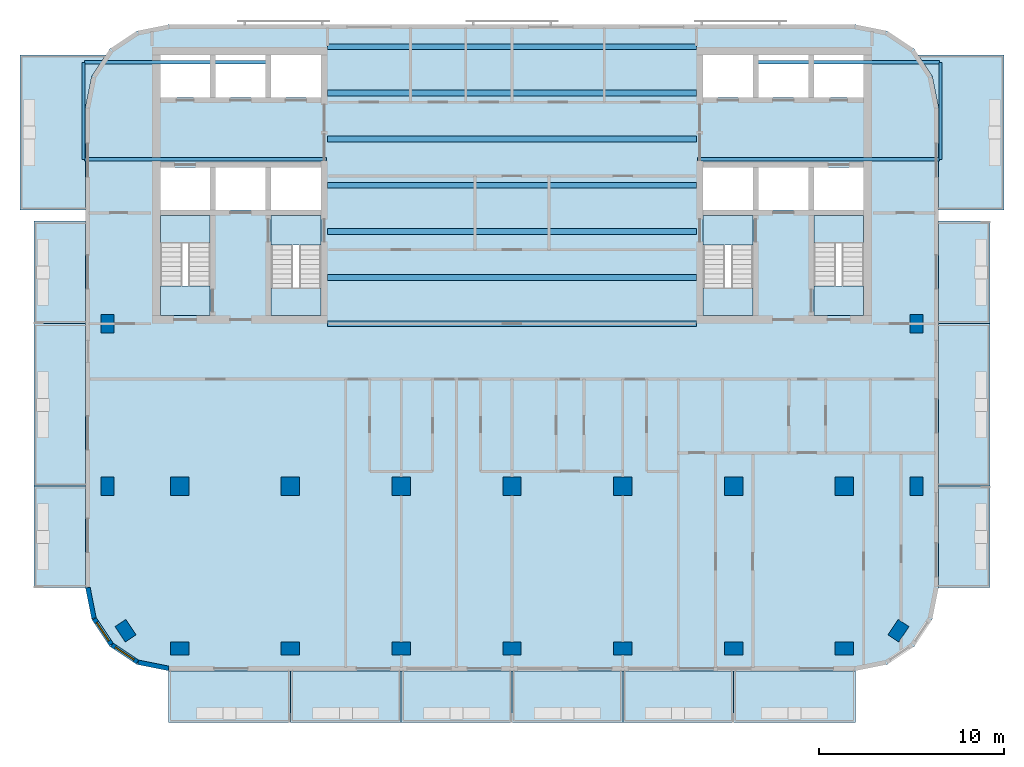
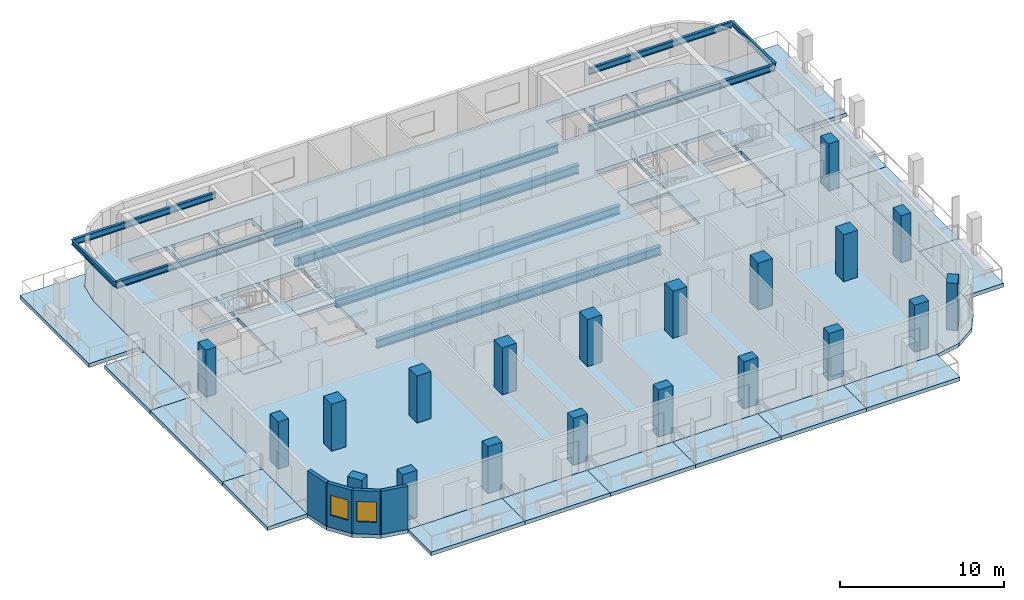
# One storey, part 1 of 11: 23 slabs, 20 columns, 13 beams, 4 walls, 2 windows, 2 openings, 4 elements without a shape of their own.
"""IFC4 building model written with IfcOpenShell, lengths in metres."""

from ifc_helpers import new_model, si_unit, direction, frame, frame_2d, origin, origin_2d, place, context, subcontext, project, spatial, polyline, rectangle, i_section, outline, extrude, material, layer, layer_set, material_profile, profile_set, type_object, element, fill, aggregate, save


model = new_model("IFC4")

# Units and contexts
model_context = context("Model", 3, precision=1e-05, world=origin(), true_north=direction((0.0, 1.0)))
body_context = subcontext(model_context, "Body", "Model", "MODEL_VIEW")
ifc_project = project(units=[si_unit("LENGTHUNIT", "METRE"), si_unit("AREAUNIT", "SQUARE_METRE"), si_unit("VOLUMEUNIT", "CUBIC_METRE"), si_unit("PLANEANGLEUNIT", "RADIAN"), si_unit("MASSUNIT", "GRAM", prefix="KILO")], contexts=[model_context])

# Site, building, storey
site_placement = place(None, origin())
site = spatial("IfcSite", under=ifc_project, at=site_placement, CompositionType="ELEMENT")
building_placement = place(site_placement, origin())
building = spatial("IfcBuilding", under=site, at=building_placement, Name="Torana Hotel and Residences", CompositionType="ELEMENT")
storey_placement = place(building_placement, frame((0.0, 0.0, 266.60009765625)))
storey = spatial("IfcBuildingStorey", under=building, at=storey_placement, Name="L70", CompositionType="ELEMENT", Elevation=266.60009765625)

# Columns
ifc_material_1 = material(Name="Concrete C50/60", Category="concrete")
ifc_material_profile_1 = material_profile(ifc_material_1, rectangle(XDim=1.0, YDim=1.0, at=origin_2d()), Name="RC 1000x1000")
ifc_profile_set_1 = profile_set([ifc_material_profile_1], Name="Concrete C50/60")
column_type_1 = type_object("IfcColumnType", Name="COLUMN RC 1000x1000 C50/60", PredefinedType="COLUMN", material=ifc_profile_set_1)
for number, where, z_axis, x_axis, name in (
    (1, (-18.0, -23.800048828125, 0.0), (0.0, 0.0, 1.0), (1.0, 0.0, 0.0), "Column L70"),
    (2, (-12.0, -23.800048828125, 0.0), (0.0, 0.0, 1.0), (1.0, 0.0, 0.0), "Column L70"),
    (3, (-6.0, -23.800048828125, 0.0), (0.0, 0.0, 1.0), (1.0, 0.0, 0.0), "Column L70"),
    (4, (0.0, -23.800048828125, 0.0), (0.0, 0.0, 1.0), (1.0, 0.0, 0.0), "Column L70"),
    (5, (6.0, -23.800048828125, 0.0), (0.0, 0.0, 1.0), (1.0, 0.0, 0.0), "Column L70"),
    (6, (12.0, -23.800048828125, 0.0), (0.0, 0.0, 1.0), (1.0, 0.0, 0.0), "Column L70"),
    (7, (18.0, -23.800048828125, 0.0), (0.0, 0.0, 1.0), (1.0, 0.0, 0.0), "Column L70"),
):
    element("IfcColumn", number, at=place(storey_placement, frame(where, z_axis=z_axis, x_axis=x_axis)), inside=storey, type_object=column_type_1, Name=name, PredefinedType="COLUMN", context=body_context, shape_type="SweptSolid", body=[
        extrude(rectangle(XDim=1.0, YDim=1.0, at=origin_2d()), origin(), (0.0, 0.0, 1.0), 3.5),
    ])
ifc_material_2 = material(Name="Concrete C50/60", Category="concrete")
ifc_material_profile_2 = material_profile(ifc_material_2, rectangle(XDim=1.0, YDim=0.699951171875, at=origin_2d()), Name="RC 1000x700")
ifc_profile_set_2 = profile_set([ifc_material_profile_2], Name="Concrete C50/60")
column_type_2 = type_object("IfcColumnType", Name="COLUMN RC 1000x700 C50/60", PredefinedType="COLUMN", material=ifc_profile_set_2)
for number, where, z_axis, x_axis, name in (
    (8, (-21.89990234375, -23.800048828125, 0.0), (0.0, 0.0, 1.0), (0.0, 1.0, 0.0), "Column L70"),
    (9, (-21.89990234375, -15.0, 0.0), (0.0, 0.0, 1.0), (0.0, 1.0, 0.0), "Column L70"),
    (10, (-20.93310546875, -31.633056640625, 0.0), (0.0, 0.0, 1.0), (-0.555584744817, 0.831459915646, 0.0), "Column L70"),
    (11, (-18.0, -32.60009765625, 0.0), (0.0, 0.0, 1.0), (1.0, 0.0, 0.0), "Column L70"),
    (12, (-12.0, -32.60009765625, 0.0), (0.0, 0.0, 1.0), (1.0, 0.0, 0.0), "Column L70"),
    (13, (-6.0, -32.60009765625, 0.0), (0.0, 0.0, 1.0), (1.0, 0.0, 0.0), "Column L70"),
    (14, (0.0, -32.60009765625, 0.0), (0.0, 0.0, 1.0), (1.0, 0.0, 0.0), "Column L70"),
    (15, (6.0, -32.60009765625, 0.0), (0.0, 0.0, 1.0), (1.0, 0.0, 0.0), "Column L70"),
    (16, (12.0, -32.60009765625, 0.0), (0.0, 0.0, 1.0), (1.0, 0.0, 0.0), "Column L70"),
    (17, (18.0, -32.60009765625, 0.0), (0.0, 0.0, 1.0), (1.0, 0.0, 0.0), "Column L70"),
    (18, (20.93310546875, -31.633056640625, 0.0), (0.0, 0.0, 1.0), (0.555584744817, 0.831459915646, 0.0), "Column L70"),
    (19, (21.89990234375, -23.800048828125, 0.0), (0.0, 0.0, 1.0), (0.0, 1.0, 0.0), "Column L70"),
    (20, (21.89990234375, -15.0, 0.0), (0.0, 0.0, 1.0), (0.0, 1.0, 0.0), "Column L70"),
):
    element("IfcColumn", number, at=place(storey_placement, frame(where, z_axis=z_axis, x_axis=x_axis)), inside=storey, type_object=column_type_2, Name=name, PredefinedType="COLUMN", context=body_context, shape_type="SweptSolid", body=[
        extrude(rectangle(XDim=1.0, YDim=0.699951171875, at=origin_2d()), origin(), (0.0, 0.0, 1.0), 3.5),
    ])

# Beams
ifc_material_3 = material(Name="Steel S355", Category="steel")
ifc_material_profile_3 = material_profile(ifc_material_3, i_section(OverallWidth=0.19287109375, OverallDepth=0.46728515625, WebThickness=0.011474609375, FlangeThickness=0.01953125, FilletRadius=0.01025390625, at=origin_2d()), Name="457x191x98 UB")
ifc_profile_set_3 = profile_set([ifc_material_profile_3], Name="Steel S355")
beam_type_1 = type_object("IfcBeamType", Name="BALCONY CANTILEVER BEAM 457x191x98 UB", PredefinedType="BEAM", material=ifc_profile_set_3)
beam_1_placement = place(storey_placement, frame((-23.1484375, -6.10009765625, 2.986328125), z_axis=(1.0, 0.0, 0.0), x_axis=(0.0, 1.0, 0.0)))
element("IfcBeam", 21, at=beam_1_placement, inside=storey, type_object=beam_type_1, Name="Balcony cantilever beam", PredefinedType="BEAM", context=body_context, shape_type="SweptSolid", body=[
    extrude(i_section(OverallWidth=0.19287109375, OverallDepth=0.46728515625, WebThickness=0.011474609375, FlangeThickness=0.01953125, FilletRadius=0.01025390625, at=origin_2d()), origin(), (0.0, 0.0, 1.0), 13.098388671875),
])
beam_2_placement = place(storey_placement, frame((-23.1484375, -0.85009765625, 2.986328125), z_axis=(1.0, 0.0, 0.0), x_axis=(0.0, 1.0, 0.0)))
element("IfcBeam", 22, at=beam_2_placement, inside=storey, type_object=beam_type_1, Name="Balcony cantilever beam", PredefinedType="BEAM", context=body_context, shape_type="SweptSolid", body=[
    extrude(i_section(OverallWidth=0.19287109375, OverallDepth=0.46728515625, WebThickness=0.011474609375, FlangeThickness=0.01953125, FilletRadius=0.01025390625, at=origin_2d()), origin(), (0.0, 0.0, 1.0), 10.04833984375),
])
beam_3_placement = place(storey_placement, frame((23.1484375, -6.10009765625, 2.986328125), z_axis=(-1.0, 0.0, 0.0), x_axis=(0.0, -1.0, 0.0)))
element("IfcBeam", 23, at=beam_3_placement, inside=storey, type_object=beam_type_1, Name="Balcony cantilever beam", PredefinedType="BEAM", context=body_context, shape_type="SweptSolid", body=[
    extrude(i_section(OverallWidth=0.19287109375, OverallDepth=0.46728515625, WebThickness=0.011474609375, FlangeThickness=0.01953125, FilletRadius=0.01025390625, at=origin_2d()), origin(), (0.0, 0.0, 1.0), 13.098388671875),
])
beam_4_placement = place(storey_placement, frame((23.1484375, -0.85009765625, 2.986328125), z_axis=(-1.0, 0.0, 0.0), x_axis=(0.0, -1.0, 0.0)))
element("IfcBeam", 24, at=beam_4_placement, inside=storey, type_object=beam_type_1, Name="Balcony cantilever beam", PredefinedType="BEAM", context=body_context, shape_type="SweptSolid", body=[
    extrude(i_section(OverallWidth=0.19287109375, OverallDepth=0.46728515625, WebThickness=0.011474609375, FlangeThickness=0.01953125, FilletRadius=0.01025390625, at=origin_2d()), origin(), (0.0, 0.0, 1.0), 10.04833984375),
])
ifc_material_4 = material(Name="Steel S355", Category="steel")
ifc_material_profile_4 = material_profile(ifc_material_4, i_section(OverallWidth=0.173095703125, OverallDepth=0.36328125, WebThickness=0.009033203125, FlangeThickness=0.015625, FilletRadius=0.01025390625, at=origin_2d()), Name="356x171x67 UB")
ifc_profile_set_4 = profile_set([ifc_material_profile_4], Name="Steel S355")
beam_type_2 = type_object("IfcBeamType", Name="BALCONY TIP BEAM 356x171x67 UB", PredefinedType="BEAM", material=ifc_profile_set_4)
for number, where, z_axis, x_axis, name in (
    (25, (-23.205078125, -6.10009765625, 3.0380859375), (0.0, 1.0, 0.0), (-1.0, 0.0, 0.0), "Balcony tip beam"),
    (26, (23.205078125, -6.10009765625, 3.0380859375), (0.0, 1.0, 0.0), (-1.0, 0.0, 0.0), "Balcony tip beam"),
):
    element("IfcBeam", number, at=place(storey_placement, frame(where, z_axis=z_axis, x_axis=x_axis)), inside=storey, type_object=beam_type_2, Name=name, PredefinedType="BEAM", context=body_context, shape_type="SweptSolid", body=[
        extrude(i_section(OverallWidth=0.173095703125, OverallDepth=0.36328125, WebThickness=0.009033203125, FlangeThickness=0.015625, FilletRadius=0.01025390625, at=origin_2d()), origin(), (0.0, 0.0, 1.0), 5.25),
    ])
ifc_material_5 = material(Name="Steel S355", Category="steel")
ifc_material_profile_5 = material_profile(ifc_material_5, i_section(OverallWidth=0.311279296875, OverallDepth=0.6357421875, WebThickness=0.018310546875, FlangeThickness=0.031494140625, FilletRadius=0.0166015625, at=origin_2d()), Name="610x305x238 UB")
ifc_profile_set_5 = profile_set([ifc_material_profile_5], Name="Steel S355")
beam_type_3 = type_object("IfcBeamType", Name="STEEL GIRDER 610x305x238 UB", PredefinedType="BEAM", material=ifc_profile_set_5)
for number, where, z_axis, x_axis, name in (
    (27, (-10.0, -15.0, -0.597900390625), (1.0, 0.0, 0.0), (0.0, 1.0, 0.0), "Floor girder"),
    (28, (-10.0, -12.5, -0.597900390625), (1.0, 0.0, 0.0), (0.0, 1.0, 0.0), "Floor girder"),
    (29, (-10.0, -10.0, -0.597900390625), (1.0, 0.0, 0.0), (0.0, 1.0, 0.0), "Floor girder"),
    (30, (-10.0, -7.5, -0.597900390625), (1.0, 0.0, 0.0), (0.0, 1.0, 0.0), "Floor girder"),
    (31, (-10.0, -5.0, -0.597900390625), (1.0, 0.0, 0.0), (0.0, 1.0, 0.0), "Floor girder"),
    (32, (-10.0, -2.5, -0.597900390625), (1.0, 0.0, 0.0), (0.0, 1.0, 0.0), "Floor girder"),
    (33, (-10.0, 0.0, -0.597900390625), (1.0, 0.0, 0.0), (0.0, 1.0, 0.0), "Floor girder"),
):
    element("IfcBeam", number, at=place(storey_placement, frame(where, z_axis=z_axis, x_axis=x_axis)), inside=storey, type_object=beam_type_3, Name=name, PredefinedType="BEAM", context=body_context, shape_type="SweptSolid", body=[
        extrude(i_section(OverallWidth=0.311279296875, OverallDepth=0.6357421875, WebThickness=0.018310546875, FlangeThickness=0.031494140625, FilletRadius=0.0166015625, at=origin_2d()), origin(), (0.0, 0.0, 1.0), 20.0),
    ])

# Slabs
ifc_material_6 = material(Name="Concrete C40/50", Category="concrete")
ifc_layer_1 = layer(ifc_material_6, 0.280029296875)
ifc_layer_set_1 = layer_set([ifc_layer_1], Name="BAL1 BALCONY SLAB 280")
slab_type_1 = type_object("IfcSlabType", Name="BAL1 BALCONY SLAB 280", PredefinedType="USERDEFINED", material=ifc_layer_set_1)
slab_1_placement = place(storey_placement, frame((0.0, 0.0, -0.280029296875)))
element("IfcSlab", 34, at=slab_1_placement, inside=storey, type_object=slab_type_1, Name="Balcony 01", ObjectType="BALCONY", PredefinedType="USERDEFINED", context=body_context, shape_type="SweptSolid", body=[
    extrude(outline(polyline([(-18.60009765625, -36.60009765625), (-12.0, -36.60009765625), (-12.0, -33.800048828125), (-18.60009765625, -33.800048828125), (-18.60009765625, -36.60009765625)])), origin(), (0.0, 0.0, 1.0), 0.280029296875),
])
slab_2_placement = place(storey_placement, frame((0.0, 0.0, -0.280029296875)))
element("IfcSlab", 35, at=slab_2_placement, inside=storey, type_object=slab_type_1, Name="Balcony 02", ObjectType="BALCONY", PredefinedType="USERDEFINED", context=body_context, shape_type="SweptSolid", body=[
    extrude(outline(polyline([(-12.0, -36.60009765625), (-6.0, -36.60009765625), (-6.0, -33.800048828125), (-12.0, -33.800048828125), (-12.0, -36.60009765625)])), origin(), (0.0, 0.0, 1.0), 0.280029296875),
])
slab_3_placement = place(storey_placement, frame((0.0, 0.0, -0.280029296875)))
element("IfcSlab", 36, at=slab_3_placement, inside=storey, type_object=slab_type_1, Name="Balcony 03", ObjectType="BALCONY", PredefinedType="USERDEFINED", context=body_context, shape_type="SweptSolid", body=[
    extrude(outline(polyline([(-6.0, -36.60009765625), (0.0, -36.60009765625), (0.0, -33.800048828125), (-6.0, -33.800048828125), (-6.0, -36.60009765625)])), origin(), (0.0, 0.0, 1.0), 0.280029296875),
])
slab_4_placement = place(storey_placement, frame((0.0, 0.0, -0.280029296875)))
element("IfcSlab", 37, at=slab_4_placement, inside=storey, type_object=slab_type_1, Name="Balcony 04", ObjectType="BALCONY", PredefinedType="USERDEFINED", context=body_context, shape_type="SweptSolid", body=[
    extrude(outline(polyline([(0.0, -36.60009765625), (6.0, -36.60009765625), (6.0, -33.800048828125), (0.0, -33.800048828125), (0.0, -36.60009765625)])), origin(), (0.0, 0.0, 1.0), 0.280029296875),
])
slab_5_placement = place(storey_placement, frame((0.0, 0.0, -0.280029296875)))
element("IfcSlab", 38, at=slab_5_placement, inside=storey, type_object=slab_type_1, Name="Balcony 05", ObjectType="BALCONY", PredefinedType="USERDEFINED", context=body_context, shape_type="SweptSolid", body=[
    extrude(outline(polyline([(6.0, -36.60009765625), (12.0, -36.60009765625), (12.0, -33.800048828125), (6.0, -33.800048828125), (6.0, -36.60009765625)])), origin(), (0.0, 0.0, 1.0), 0.280029296875),
])
slab_6_placement = place(storey_placement, frame((0.0, 0.0, -0.280029296875)))
element("IfcSlab", 39, at=slab_6_placement, inside=storey, type_object=slab_type_1, Name="Balcony 06", ObjectType="BALCONY", PredefinedType="USERDEFINED", context=body_context, shape_type="SweptSolid", body=[
    extrude(outline(polyline([(12.0, -36.60009765625), (18.60009765625, -36.60009765625), (18.60009765625, -33.800048828125), (12.0, -33.800048828125), (12.0, -36.60009765625)])), origin(), (0.0, 0.0, 1.0), 0.280029296875),
])
slab_7_placement = place(storey_placement, frame((0.0, 0.0, -0.280029296875)))
element("IfcSlab", 40, at=slab_7_placement, inside=storey, type_object=slab_type_1, Name="Balcony 07", ObjectType="BALCONY", PredefinedType="USERDEFINED", context=body_context, shape_type="SweptSolid", body=[
    extrude(outline(polyline([(-25.89990234375, -29.300048828125), (-23.10009765625, -29.300048828125), (-23.10009765625, -23.800048828125), (-25.89990234375, -23.800048828125), (-25.89990234375, -29.300048828125)])), origin(), (0.0, 0.0, 1.0), 0.280029296875),
])
slab_8_placement = place(storey_placement, frame((0.0, 0.0, -0.280029296875)))
element("IfcSlab", 41, at=slab_8_placement, inside=storey, type_object=slab_type_1, Name="Balcony 08", ObjectType="BALCONY", PredefinedType="USERDEFINED", context=body_context, shape_type="SweptSolid", body=[
    extrude(outline(polyline([(-25.89990234375, -23.800048828125), (-23.10009765625, -23.800048828125), (-23.10009765625, -15.0), (-25.89990234375, -15.0), (-25.89990234375, -23.800048828125)])), origin(), (0.0, 0.0, 1.0), 0.280029296875),
])
slab_9_placement = place(storey_placement, frame((0.0, 0.0, -0.280029296875)))
element("IfcSlab", 42, at=slab_9_placement, inside=storey, type_object=slab_type_1, Name="Balcony 09", ObjectType="BALCONY", PredefinedType="USERDEFINED", context=body_context, shape_type="SweptSolid", body=[
    extrude(outline(polyline([(-25.89990234375, -15.0), (-23.10009765625, -15.0), (-23.10009765625, -9.449951171875), (-25.89990234375, -9.449951171875), (-25.89990234375, -15.0)])), origin(), (0.0, 0.0, 1.0), 0.280029296875),
])
slab_10_placement = place(storey_placement, frame((0.0, 0.0, -0.280029296875)))
element("IfcSlab", 43, at=slab_10_placement, inside=storey, type_object=slab_type_1, Name="Balcony 10", ObjectType="BALCONY", PredefinedType="USERDEFINED", context=body_context, shape_type="SweptSolid", body=[
    extrude(outline(polyline([(-26.64990234375, -8.85009765625), (-23.10009765625, -8.85009765625), (-23.10009765625, -3.300048828125), (-22.757568359375, -1.577880859375), (-22.00390625, -0.449951171875), (-26.64990234375, -0.449951171875), (-26.64990234375, -8.85009765625)])), origin(), (0.0, 0.0, 1.0), 0.280029296875),
])
slab_11_placement = place(storey_placement, frame((0.0, 0.0, -0.280029296875)))
element("IfcSlab", 44, at=slab_11_placement, inside=storey, type_object=slab_type_1, Name="Balcony 11", ObjectType="BALCONY", PredefinedType="USERDEFINED", context=body_context, shape_type="SweptSolid", body=[
    extrude(outline(polyline([(23.10009765625, -29.300048828125), (25.89990234375, -29.300048828125), (25.89990234375, -23.800048828125), (23.10009765625, -23.800048828125), (23.10009765625, -29.300048828125)])), origin(), (0.0, 0.0, 1.0), 0.280029296875),
])
slab_12_placement = place(storey_placement, frame((0.0, 0.0, -0.280029296875)))
element("IfcSlab", 45, at=slab_12_placement, inside=storey, type_object=slab_type_1, Name="Balcony 12", ObjectType="BALCONY", PredefinedType="USERDEFINED", context=body_context, shape_type="SweptSolid", body=[
    extrude(outline(polyline([(23.10009765625, -23.800048828125), (25.89990234375, -23.800048828125), (25.89990234375, -15.0), (23.10009765625, -15.0), (23.10009765625, -23.800048828125)])), origin(), (0.0, 0.0, 1.0), 0.280029296875),
])
slab_13_placement = place(storey_placement, frame((0.0, 0.0, -0.280029296875)))
element("IfcSlab", 46, at=slab_13_placement, inside=storey, type_object=slab_type_1, Name="Balcony 13", ObjectType="BALCONY", PredefinedType="USERDEFINED", context=body_context, shape_type="SweptSolid", body=[
    extrude(outline(polyline([(23.10009765625, -15.0), (25.89990234375, -15.0), (25.89990234375, -9.449951171875), (23.10009765625, -9.449951171875), (23.10009765625, -15.0)])), origin(), (0.0, 0.0, 1.0), 0.280029296875),
])
slab_14_placement = place(storey_placement, frame((0.0, 0.0, -0.280029296875)))
element("IfcSlab", 47, at=slab_14_placement, inside=storey, type_object=slab_type_1, Name="Balcony 14", ObjectType="BALCONY", PredefinedType="USERDEFINED", context=body_context, shape_type="SweptSolid", body=[
    extrude(outline(polyline([(23.10009765625, -8.85009765625), (26.64990234375, -8.85009765625), (26.64990234375, -0.449951171875), (22.00390625, -0.449951171875), (22.757568359375, -1.577880859375), (23.10009765625, -3.300048828125), (23.10009765625, -8.85009765625)])), origin(), (0.0, 0.0, 1.0), 0.280029296875),
])
ifc_material_7 = material(Name="Concrete C40/50", Category="concrete")
ifc_layer_2 = layer(ifc_material_7, 0.280029296875)
ifc_layer_set_2 = layer_set([ifc_layer_2], Name="FLOOR SLAB PT 280")
slab_type_2 = type_object("IfcSlabType", Name="FLOOR SLAB PT 280", PredefinedType="FLOOR", material=ifc_layer_set_2)
slab_15_placement = place(storey_placement, frame((0.0, 0.0, -0.280029296875)))
element("IfcSlab", 48, at=slab_15_placement, inside=storey, type_object=slab_type_2, Name="Floor slab", PredefinedType="FLOOR", context=body_context, shape_type="SweptSolid", body=[
    extrude(outline(polyline([(23.10009765625, -3.300048828125), (22.757568359375, -1.577880859375), (21.781982421875, -0.117919921875), (20.322021484375, 0.857421875), (18.60009765625, 1.199951171875), (-18.60009765625, 1.199951171875), (-20.322021484375, 0.857421875), (-21.781982421875, -0.117919921875), (-22.757568359375, -1.577880859375), (-23.10009765625, -3.300048828125), (-23.10009765625, -29.300048828125), (-22.757568359375, -31.022216796875), (-21.781982421875, -32.48193359375), (-20.322021484375, -33.45751953125), (-18.60009765625, -33.800048828125), (18.60009765625, -33.800048828125), (20.322021484375, -33.45751953125), (21.781982421875, -32.48193359375), (22.757568359375, -31.022216796875), (23.10009765625, -29.300048828125), (23.10009765625, -3.300048828125)]), holes=[polyline([(-13.050048828125, -14.550048828125), (-10.35009765625, -14.550048828125), (-10.35009765625, -9.14990234375), (-13.050048828125, -9.14990234375), (-13.050048828125, -14.550048828125)]), polyline([(-19.050048828125, -14.550048828125), (-16.35009765625, -14.550048828125), (-16.35009765625, -9.14990234375), (-19.050048828125, -9.14990234375), (-19.050048828125, -14.550048828125)]), polyline([(-19.050048828125, -2.75), (-16.35009765625, -2.75), (-16.35009765625, -0.449951171875), (-19.050048828125, -0.449951171875), (-19.050048828125, -2.75)]), polyline([(-13.050048828125, -2.75), (-10.35009765625, -2.75), (-10.35009765625, -0.449951171875), (-13.050048828125, -0.449951171875), (-13.050048828125, -2.75)]), polyline([(-16.050048828125, -2.75), (-13.35009765625, -2.75), (-13.35009765625, -0.449951171875), (-16.050048828125, -0.449951171875), (-16.050048828125, -2.75)]), polyline([(-13.050048828125, -8.85009765625), (-10.35009765625, -8.85009765625), (-10.35009765625, -6.550048828125), (-13.050048828125, -6.550048828125), (-13.050048828125, -8.85009765625)]), polyline([(-16.050048828125, -8.85009765625), (-13.35009765625, -8.85009765625), (-13.35009765625, -6.550048828125), (-16.050048828125, -6.550048828125), (-16.050048828125, -8.85009765625)]), polyline([(-19.050048828125, -8.85009765625), (-16.35009765625, -8.85009765625), (-16.35009765625, -6.550048828125), (-19.050048828125, -6.550048828125), (-19.050048828125, -8.85009765625)]), polyline([(10.35009765625, -14.550048828125), (13.050048828125, -14.550048828125), (13.050048828125, -9.14990234375), (10.35009765625, -9.14990234375), (10.35009765625, -14.550048828125)]), polyline([(16.35009765625, -14.550048828125), (19.050048828125, -14.550048828125), (19.050048828125, -9.14990234375), (16.35009765625, -9.14990234375), (16.35009765625, -14.550048828125)]), polyline([(16.35009765625, -2.75), (19.050048828125, -2.75), (19.050048828125, -0.449951171875), (16.35009765625, -0.449951171875), (16.35009765625, -2.75)]), polyline([(10.35009765625, -2.75), (13.050048828125, -2.75), (13.050048828125, -0.449951171875), (10.35009765625, -0.449951171875), (10.35009765625, -2.75)]), polyline([(13.35009765625, -2.75), (16.050048828125, -2.75), (16.050048828125, -0.449951171875), (13.35009765625, -0.449951171875), (13.35009765625, -2.75)]), polyline([(10.35009765625, -8.85009765625), (13.050048828125, -8.85009765625), (13.050048828125, -6.550048828125), (10.35009765625, -6.550048828125), (10.35009765625, -8.85009765625)]), polyline([(13.35009765625, -8.85009765625), (16.050048828125, -8.85009765625), (16.050048828125, -6.550048828125), (13.35009765625, -6.550048828125), (13.35009765625, -8.85009765625)]), polyline([(16.35009765625, -8.85009765625), (19.050048828125, -8.85009765625), (19.050048828125, -6.550048828125), (16.35009765625, -6.550048828125), (16.35009765625, -8.85009765625)])]), origin(), (0.0, 0.0, 1.0), 0.280029296875),
])

# Stair, slabs
ifc_material_8 = material(Name="Concrete C40/50 precast", Category="concrete")
stair_type_1 = type_object("IfcStairType", Name="STAIR ST1 HALF TURN 1200", PredefinedType="HALF_TURN_STAIR", material=ifc_material_8)
stair_1_placement = place(storey_placement, origin())
stair_1 = element("IfcStair", 49, at=stair_1_placement, inside=storey, type_object=stair_type_1, Name="Stair ST1 L70", PredefinedType="HALF_TURN_STAIR")
ifc_material_9 = material(Name="Concrete C40/50 precast", Category="concrete")
ifc_layer_3 = layer(ifc_material_9, 0.199951171875)
ifc_layer_set_3 = layer_set([ifc_layer_3], Name="STAIR LANDING 200")
slab_type_3 = type_object("IfcSlabType", Name="STAIR LANDING 200", PredefinedType="LANDING", material=ifc_layer_set_3)
slab_16_placement = place(storey_placement, frame((0.0, 0.0, 1.5498046875)))
slab_16 = element("IfcSlab", 50, at=slab_16_placement, type_object=slab_type_3, Name="ST1 landing 1", PredefinedType="LANDING", context=body_context, shape_type="SweptSolid", body=[
    extrude(outline(polyline([(-13.050048828125, -14.550048828125), (-10.35009765625, -14.550048828125), (-10.35009765625, -13.090087890625), (-13.050048828125, -13.090087890625), (-13.050048828125, -14.550048828125)])), origin(), (0.0, 0.0, 1.0), 0.2001953125),
])
slab_17_placement = place(storey_placement, frame((0.0, 0.0, -0.2001953125)))
slab_17 = element("IfcSlab", 51, at=slab_17_placement, type_object=slab_type_3, Name="ST1 landing 2", PredefinedType="LANDING", context=body_context, shape_type="SweptSolid", body=[
    extrude(outline(polyline([(-13.050048828125, -10.75), (-10.35009765625, -10.75), (-10.35009765625, -9.14990234375), (-13.050048828125, -9.14990234375), (-13.050048828125, -10.75)])), origin(), (0.0, 0.0, 1.0), 0.2001953125),
])
aggregate(stair_1, [slab_16, slab_17])

ifc_material_10 = material(Name="Concrete C40/50 precast", Category="concrete")
stair_type_2 = type_object("IfcStairType", Name="STAIR ST2 HALF TURN 1200", PredefinedType="HALF_TURN_STAIR", material=ifc_material_10)
stair_2_placement = place(storey_placement, origin())
stair_2 = element("IfcStair", 52, at=stair_2_placement, inside=storey, type_object=stair_type_2, Name="Stair ST2 L70", PredefinedType="HALF_TURN_STAIR")
slab_18_placement = place(storey_placement, frame((0.0, 0.0, 1.5498046875)))
slab_18 = element("IfcSlab", 53, at=slab_18_placement, type_object=slab_type_3, Name="ST2 landing 1", PredefinedType="LANDING", context=body_context, shape_type="SweptSolid", body=[
    extrude(outline(polyline([(-19.050048828125, -10.610107421875), (-16.35009765625, -10.610107421875), (-16.35009765625, -9.14990234375), (-19.050048828125, -9.14990234375), (-19.050048828125, -10.610107421875)])), origin(), (0.0, 0.0, 1.0), 0.2001953125),
])
slab_19_placement = place(storey_placement, frame((0.0, 0.0, -0.2001953125)))
slab_19 = element("IfcSlab", 54, at=slab_19_placement, type_object=slab_type_3, Name="ST2 landing 2", PredefinedType="LANDING", context=body_context, shape_type="SweptSolid", body=[
    extrude(outline(polyline([(-19.050048828125, -14.550048828125), (-16.35009765625, -14.550048828125), (-16.35009765625, -12.949951171875), (-19.050048828125, -12.949951171875), (-19.050048828125, -14.550048828125)])), origin(), (0.0, 0.0, 1.0), 0.2001953125),
])
aggregate(stair_2, [slab_18, slab_19])

ifc_material_11 = material(Name="Concrete C40/50 precast", Category="concrete")
stair_type_3 = type_object("IfcStairType", Name="STAIR ST3 HALF TURN 1200", PredefinedType="HALF_TURN_STAIR", material=ifc_material_11)
stair_3_placement = place(storey_placement, origin())
stair_3 = element("IfcStair", 55, at=stair_3_placement, inside=storey, type_object=stair_type_3, Name="Stair ST3 L70", PredefinedType="HALF_TURN_STAIR")
slab_20_placement = place(storey_placement, frame((0.0, 0.0, 1.5498046875)))
slab_20 = element("IfcSlab", 56, at=slab_20_placement, type_object=slab_type_3, Name="ST3 landing 1", PredefinedType="LANDING", context=body_context, shape_type="SweptSolid", body=[
    extrude(outline(polyline([(10.35009765625, -14.550048828125), (13.050048828125, -14.550048828125), (13.050048828125, -13.090087890625), (10.35009765625, -13.090087890625), (10.35009765625, -14.550048828125)])), origin(), (0.0, 0.0, 1.0), 0.2001953125),
])
slab_21_placement = place(storey_placement, frame((0.0, 0.0, -0.2001953125)))
slab_21 = element("IfcSlab", 57, at=slab_21_placement, type_object=slab_type_3, Name="ST3 landing 2", PredefinedType="LANDING", context=body_context, shape_type="SweptSolid", body=[
    extrude(outline(polyline([(10.35009765625, -10.75), (13.050048828125, -10.75), (13.050048828125, -9.14990234375), (10.35009765625, -9.14990234375), (10.35009765625, -10.75)])), origin(), (0.0, 0.0, 1.0), 0.2001953125),
])
aggregate(stair_3, [slab_20, slab_21])

ifc_material_12 = material(Name="Concrete C40/50 precast", Category="concrete")
stair_type_4 = type_object("IfcStairType", Name="STAIR ST4 HALF TURN 1200", PredefinedType="HALF_TURN_STAIR", material=ifc_material_12)
stair_4_placement = place(storey_placement, origin())
stair_4 = element("IfcStair", 58, at=stair_4_placement, inside=storey, type_object=stair_type_4, Name="Stair ST4 L70", PredefinedType="HALF_TURN_STAIR")
slab_22_placement = place(storey_placement, frame((0.0, 0.0, 1.5498046875)))
slab_22 = element("IfcSlab", 59, at=slab_22_placement, type_object=slab_type_3, Name="ST4 landing 1", PredefinedType="LANDING", context=body_context, shape_type="SweptSolid", body=[
    extrude(outline(polyline([(16.35009765625, -10.610107421875), (19.050048828125, -10.610107421875), (19.050048828125, -9.14990234375), (16.35009765625, -9.14990234375), (16.35009765625, -10.610107421875)])), origin(), (0.0, 0.0, 1.0), 0.2001953125),
])
slab_23_placement = place(storey_placement, frame((0.0, 0.0, -0.2001953125)))
slab_23 = element("IfcSlab", 60, at=slab_23_placement, type_object=slab_type_3, Name="ST4 landing 2", PredefinedType="LANDING", context=body_context, shape_type="SweptSolid", body=[
    extrude(outline(polyline([(16.35009765625, -14.550048828125), (19.050048828125, -14.550048828125), (19.050048828125, -12.949951171875), (16.35009765625, -12.949951171875), (16.35009765625, -14.550048828125)])), origin(), (0.0, 0.0, 1.0), 0.2001953125),
])
aggregate(stair_4, [slab_22, slab_23])

# Wall
ifc_material_13 = material(Name="Black aluminium composite panel", Category="aluminium")
ifc_layer_4 = layer(ifc_material_13, 0.00390625, Name="Cladding", Category="cladding")
ifc_material_14 = material(Name="Ventilated air cavity")
ifc_layer_5 = layer(ifc_material_14, 0.0400390625, Name="Ventilated cavity", Category="cavity")
ifc_material_15 = material(Name="Mineral wool insulation")
ifc_layer_6 = layer(ifc_material_15, 0.090087890625, Name="Insulation", Category="insulation")
ifc_material_16 = material(Name="Steel S280GD", Category="steel")
ifc_layer_7 = layer(ifc_material_16, 0.092041015625, Name="Steel stud frame", Category="structure")
ifc_material_17 = material(Name="Fire rated plasterboard")
ifc_layer_8 = layer(ifc_material_17, 0.011962890625, Name="Inner board", Category="finish")
ifc_layer_9 = layer(ifc_material_17, 0.011962890625, Name="Second board", Category="finish")
ifc_layer_set_4 = layer_set([ifc_layer_4, ifc_layer_5, ifc_layer_6, ifc_layer_7, ifc_layer_8, ifc_layer_9], Name="EW1 EXTERNAL WALL BLACK METAL CLAD 250")
wall_type = type_object("IfcWallType", Name="EW1 EXTERNAL WALL BLACK METAL CLAD 250", PredefinedType="SOLIDWALL", material=ifc_layer_set_4)
wall_1_placement = place(storey_placement, frame((-22.97265625, -29.2998046875, 0.0), z_axis=(0.0, 0.0, 1.0), x_axis=(0.19513878023, -0.980775640221, 0.0)))
element("IfcWall", 61, at=wall_1_placement, inside=storey, type_object=wall_type, Name="External wall L70 e0.10", PredefinedType="SOLIDWALL", context=body_context, shape_type="SweptSolid", body=[
    extrude(rectangle(XDim=1.681396484375, YDim=0.25, at=frame_2d((0.8408203125, 0.0))), origin(), (0.0, 0.0, 1.0), 3.219970703125),
])

# Wall, opening, window
wall_2_placement = place(storey_placement, frame((-22.6259765625, -30.993896484375, 0.0), z_axis=(0.0, 0.0, 1.0), x_axis=(0.55555029066, -0.831482937015, 0.0)))
wall_2 = element("IfcWall", 62, at=wall_2_placement, inside=storey, type_object=wall_type, Name="External wall L70 e0.11", PredefinedType="SOLIDWALL", context=body_context, shape_type="SweptSolid", body=[
    extrude(rectangle(XDim=1.65625, YDim=0.25, at=frame_2d((0.828125, 0.0))), origin(), (0.0, 0.0, 1.0), 3.219970703125),
])
opening_1_placement = place(wall_2_placement, frame((0.228271484375, 0.0, 0.89990234375)))
opening_1 = element("IfcOpeningElement", 63, at=opening_1_placement, cuts=wall_2, Name="Opening W5", PredefinedType="OPENING", context=body_context, shape_type="SweptSolid", body=[
    extrude(rectangle(XDim=1.199951171875, YDim=1.5, at=frame_2d((0.60009765625, 0.75))), frame((0.0, 0.135009765625, 0.0), z_axis=(0.0, -1.0, 0.0), x_axis=(1.0, 0.0, 0.0)), (0.0, 0.0, 1.0), 0.27001953125),
])
ifc_material_18 = material(Name="Dark glass in black aluminium frame", Category="aluminium")
window_type = type_object("IfcWindowType", Name="W5 CORNER FACET WINDOW 1200x1500", PartitioningType="SINGLE_PANEL", PredefinedType="WINDOW", material=ifc_material_18)
window_1_placement = place(opening_1_placement, origin())
window_1 = element("IfcWindow", 64, at=window_1_placement, inside=storey, type_object=window_type, Name="Window L70 e0.11", OverallHeight=1.5, OverallWidth=1.199951171875, PartitioningType="SINGLE_PANEL", PredefinedType="WINDOW", context=body_context, shape_type="SweptSolid", body=[
    extrude(rectangle(XDim=1.199951171875, YDim=1.5, at=frame_2d((0.60009765625, 0.75))), frame((0.0, 0.030029296875, 0.0), z_axis=(0.0, -1.0, 0.0), x_axis=(1.0, 0.0, 0.0)), (0.0, 0.0, 1.0), 0.06005859375),
])
fill(opening_1, window_1)

wall_3_placement = place(storey_placement, frame((-21.671142578125, -32.40576171875, 0.0), z_axis=(0.0, 0.0, 1.0), x_axis=(0.831482937015, -0.55555029066, 0.0)))
wall_3 = element("IfcWall", 65, at=wall_3_placement, inside=storey, type_object=wall_type, Name="External wall L70 e0.12", PredefinedType="SOLIDWALL", context=body_context, shape_type="SweptSolid", body=[
    extrude(rectangle(XDim=1.65625, YDim=0.25, at=frame_2d((0.828125, 0.0))), origin(), (0.0, 0.0, 1.0), 3.219970703125),
])
opening_2_placement = place(wall_3_placement, frame((0.228271484375, 0.0, 0.89990234375)))
opening_2 = element("IfcOpeningElement", 66, at=opening_2_placement, cuts=wall_3, Name="Opening W5", PredefinedType="OPENING", context=body_context, shape_type="SweptSolid", body=[
    extrude(rectangle(XDim=1.199951171875, YDim=1.5, at=frame_2d((0.60009765625, 0.75))), frame((0.0, 0.135009765625, 0.0), z_axis=(0.0, -1.0, 0.0), x_axis=(1.0, 0.0, 0.0)), (0.0, 0.0, 1.0), 0.27001953125),
])
window_2_placement = place(opening_2_placement, origin())
window_2 = element("IfcWindow", 67, at=window_2_placement, inside=storey, type_object=window_type, Name="Window L70 e0.12", OverallHeight=1.5, OverallWidth=1.199951171875, PartitioningType="SINGLE_PANEL", PredefinedType="WINDOW", context=body_context, shape_type="SweptSolid", body=[
    extrude(rectangle(XDim=1.199951171875, YDim=1.5, at=frame_2d((0.60009765625, 0.75))), frame((0.0, 0.030029296875, 0.0), z_axis=(0.0, -1.0, 0.0), x_axis=(1.0, 0.0, 0.0)), (0.0, 0.0, 1.0), 0.06005859375),
])
fill(opening_2, window_2)

# Wall
wall_4_placement = place(storey_placement, frame((-20.248779296875, -33.344482421875, 0.0), z_axis=(0.0, 0.0, 1.0), x_axis=(0.980770110232, -0.195166572128, 0.0)))
element("IfcWall", 68, at=wall_4_placement, inside=storey, type_object=wall_type, Name="External wall L70 e0.13", PredefinedType="SOLIDWALL", context=body_context, shape_type="SweptSolid", body=[
    extrude(rectangle(XDim=1.68115234375, YDim=0.25, at=frame_2d((0.840576171875, 0.0))), origin(), (0.0, 0.0, 1.0), 3.219970703125),
])

save(model, "model.ifc")
